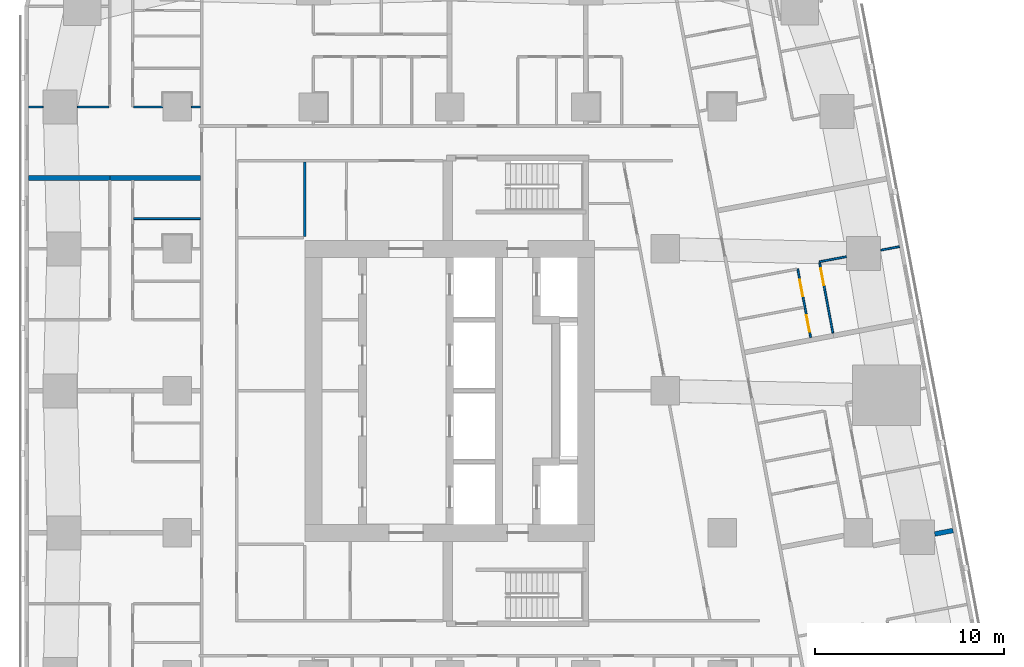
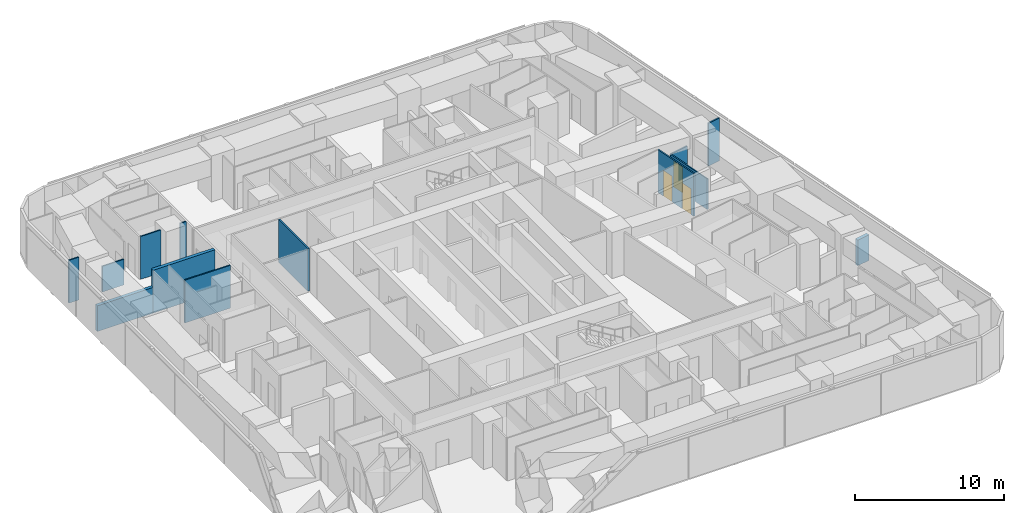
# One storey, part 8 of 15: 13 walls, 3 doors, 3 openings.
"""IFC4 building model written with IfcOpenShell, lengths in metres."""

from ifc_helpers import new_model, si_unit, direction, frame, frame_2d, origin, place, context, subcontext, project, spatial, rectangle, extrude, material, layer, layer_set, type_object, element, fill, save


model = new_model("IFC4")

# Units and contexts
model_context = context("Model", 3, precision=1e-05, world=origin(), true_north=direction((0.0, 1.0)))
body_context = subcontext(model_context, "Body", "Model", "MODEL_VIEW")
ifc_project = project(units=[si_unit("LENGTHUNIT", "METRE"), si_unit("AREAUNIT", "SQUARE_METRE"), si_unit("VOLUMEUNIT", "CUBIC_METRE"), si_unit("PLANEANGLEUNIT", "RADIAN"), si_unit("MASSUNIT", "GRAM", prefix="KILO")], contexts=[model_context])

# Site, building, storey
site_placement = place(None, origin())
site = spatial("IfcSite", under=ifc_project, at=site_placement, CompositionType="ELEMENT")
building_placement = place(site_placement, origin())
building = spatial("IfcBuilding", under=site, at=building_placement, Name="Sheger Commons Tower", CompositionType="ELEMENT")
storey_placement = place(building_placement, frame((0.0, 0.0, 180.800048828125)))
storey = spatial("IfcBuildingStorey", under=building, at=storey_placement, Name="L46", CompositionType="ELEMENT", Elevation=180.800048828125)

# Walls
ifc_material_1 = material(Name="Dense concrete block masonry, plastered both sides (separating wall between flats)", Category="masonry")
ifc_layer_1 = layer(ifc_material_1, 0.25)
ifc_layer_set_1 = layer_set([ifc_layer_1], Name="DEMISING WALL 250")
wall_type_1 = type_object("IfcWallType", Name="DEMISING WALL 250", PredefinedType="SOLIDWALL", material=ifc_layer_set_1)
wall_1_placement = place(storey_placement, frame((-0.64990234375, 33.75, 0.0), z_axis=(0.0, 0.0, 1.0), x_axis=(1.0, 0.0, 0.0)))
element("IfcWall", 1, at=wall_1_placement, inside=storey, type_object=wall_type_1, Name="Demising wall L46", PredefinedType="SOLIDWALL", context=body_context, shape_type="SweptSolid", body=[
    extrude(rectangle(XDim=4.2998046875, YDim=0.25, at=frame_2d((2.14990234375, 0.0))), origin(), (0.0, 0.0, 1.0), 2.099853515625),
])
wall_2_placement = place(storey_placement, frame((3.64990234375, 33.75, 0.0), z_axis=(0.0, 0.0, 1.0), x_axis=(1.0, 0.0, 0.0)))
element("IfcWall", 2, at=wall_2_placement, inside=storey, type_object=wall_type_1, Name="Demising wall L46", PredefinedType="SOLIDWALL", context=body_context, shape_type="SweptSolid", body=[
    extrude(rectangle(XDim=4.775146484375, YDim=0.25, at=frame_2d((2.3876953125, 0.0))), origin(), (0.0, 0.0, 1.0), 3.5),
])
wall_3_placement = place(storey_placement, frame((48.2060546875, 15.1201171875, 0.0), z_axis=(0.0, 0.0, 1.0), x_axis=(-0.982576361834, -0.185859337043, 0.0)))
element("IfcWall", 3, at=wall_3_placement, inside=storey, type_object=wall_type_1, Name="Demising wall L46", PredefinedType="SOLIDWALL", context=body_context, shape_type="SweptSolid", body=[
    extrude(rectangle(XDim=0.985107421875, YDim=0.25, at=frame_2d((0.49267578125, 0.0))), origin(), (0.0, 0.0, 1.0), 2.099853515625),
])
ifc_material_2 = material(Name="Gypsum board on steel studs", Category="steel")
ifc_layer_2 = layer(ifc_material_2, 0.10009765625)
ifc_layer_set_2 = layer_set([ifc_layer_2], Name="PARTITION 100")
wall_type_2 = type_object("IfcWallType", Name="PARTITION 100", PredefinedType="PARTITIONING", material=ifc_layer_set_2)
wall_4_placement = place(storey_placement, frame((4.89990234375, 31.60009765625, 0.0), z_axis=(0.0, 0.0, 1.0), x_axis=(1.0, 0.0, 0.0)))
element("IfcWall", 4, at=wall_4_placement, inside=storey, type_object=wall_type_2, Name="Partition L46", PredefinedType="PARTITIONING", context=body_context, shape_type="SweptSolid", body=[
    extrude(rectangle(XDim=3.525146484375, YDim=0.10009765625, at=frame_2d((1.7626953125, 0.0))), origin(), (0.0, 0.0, 1.0), 3.5),
])
wall_5_placement = place(storey_placement, frame((-0.64990234375, 37.5, 0.0), z_axis=(0.0, 0.0, 1.0), x_axis=(1.0, 0.0, 0.0)))
element("IfcWall", 5, at=wall_5_placement, inside=storey, type_object=wall_type_2, Name="Partition L46", PredefinedType="PARTITIONING", context=body_context, shape_type="SweptSolid", body=[
    extrude(rectangle(XDim=0.77392578125, YDim=0.10009765625, at=frame_2d((0.386962890625, 0.0))), origin(), (0.0, 0.0, 1.0), 3.5),
])
wall_6_placement = place(storey_placement, frame((1.926025390625, 37.5, 0.0), z_axis=(0.0, 0.0, 1.0), x_axis=(1.0, 0.0, 0.0)))
element("IfcWall", 6, at=wall_6_placement, inside=storey, type_object=wall_type_2, Name="Partition L46", PredefinedType="PARTITIONING", context=body_context, shape_type="SweptSolid", body=[
    extrude(rectangle(XDim=1.674072265625, YDim=0.10009765625, at=frame_2d((0.8369140625, 0.0))), origin(), (0.0, 0.0, 1.0), 2.099853515625),
])
wall_7_placement = place(storey_placement, frame((4.89990234375, 37.5, 0.0), z_axis=(0.0, 0.0, 1.0), x_axis=(1.0, 0.0, 0.0)))
element("IfcWall", 7, at=wall_7_placement, inside=storey, type_object=wall_type_2, Name="Partition L46", PredefinedType="PARTITIONING", context=body_context, shape_type="SweptSolid", body=[
    extrude(rectangle(XDim=1.549072265625, YDim=0.10009765625, at=frame_2d((0.7744140625, 0.0))), origin(), (0.0, 0.0, 1.0), 3.5),
])
wall_8_placement = place(storey_placement, frame((7.950927734375, 37.5, 0.0), z_axis=(0.0, 0.0, 1.0), x_axis=(1.0, 0.0, 0.0)))
element("IfcWall", 8, at=wall_8_placement, inside=storey, type_object=wall_type_2, Name="Partition L46", PredefinedType="PARTITIONING", context=body_context, shape_type="SweptSolid", body=[
    extrude(rectangle(XDim=0.47412109375, YDim=0.10009765625, at=frame_2d((0.237060546875, 0.0))), origin(), (0.0, 0.0, 1.0), 3.5),
])

# Wall, opening, door
wall_9_placement = place(storey_placement, frame((41.156005859375, 29.27294921875, 0.0), z_axis=(0.0, 0.0, 1.0), x_axis=(0.185474762472, -0.982649028131, 0.0)))
wall_9 = element("IfcWall", 9, at=wall_9_placement, inside=storey, type_object=wall_type_2, Name="Partition L46", PredefinedType="PARTITIONING", context=body_context, shape_type="SweptSolid", body=[
    extrude(rectangle(XDim=3.78955078125, YDim=0.10009765625, at=frame_2d((1.894775390625, 0.0))), origin(), (0.0, 0.0, 1.0), 2.5),
])
opening_1_placement = place(wall_9_placement, frame((0.31005859375, 0.0, 0.0)))
opening_1 = element("IfcOpeningElement", 10, at=opening_1_placement, cuts=wall_9, Name="Opening D2", PredefinedType="OPENING", context=body_context, shape_type="SweptSolid", body=[
    extrude(rectangle(XDim=0.89990234375, YDim=2.10009765625, at=frame_2d((0.449951171875, 1.050048828125))), frame((0.0, 0.06005859375, 0.0), z_axis=(0.0, -1.0, 0.0), x_axis=(1.0, 0.0, 0.0)), (0.0, 0.0, 1.0), 0.1201171875),
])
ifc_material_3 = material(Name="Timber door set", Category="wood")
door_type = type_object("IfcDoorType", Name="INTERNAL DOOR 900x2100", OperationType="NOTDEFINED", PredefinedType="DOOR", material=ifc_material_3)
door_1_placement = place(opening_1_placement, origin())
door_1 = element("IfcDoor", 11, at=door_1_placement, inside=storey, type_object=door_type, Name="Main bedroom door", OperationType="SINGLE_SWING_LEFT", OverallHeight=2.10009765625, OverallWidth=0.89990234375, PredefinedType="DOOR", context=body_context, shape_type="SweptSolid", body=[
    extrude(rectangle(XDim=0.89990234375, YDim=2.10009765625, at=frame_2d((0.449951171875, 1.050048828125))), frame((0.0, 0.02490234375, 0.0), z_axis=(0.0, -1.0, 0.0), x_axis=(1.0, 0.0, 0.0)), (0.0, 0.0, 1.0), 0.050048828125),
])
fill(opening_1, door_1)

# Wall, openings, doors
wall_10_placement = place(storey_placement, frame((39.9970703125, 28.94189453125, 0.0), z_axis=(0.0, 0.0, 1.0), x_axis=(0.185580474845, -0.982629069057, 0.0)))
wall_10 = element("IfcWall", 12, at=wall_10_placement, inside=storey, type_object=wall_type_2, Name="Partition L46", PredefinedType="PARTITIONING", context=body_context, shape_type="SweptSolid", body=[
    extrude(rectangle(XDim=3.684814453125, YDim=0.10009765625, at=frame_2d((1.84228515625, 0.0))), origin(), (0.0, 0.0, 1.0), 3.5),
])
opening_2_placement = place(wall_10_placement, frame((0.575927734375, 0.0, 0.0)))
opening_2 = element("IfcOpeningElement", 13, at=opening_2_placement, cuts=wall_10, Name="Opening D2", PredefinedType="OPENING", context=body_context, shape_type="SweptSolid", body=[
    extrude(rectangle(XDim=0.89990234375, YDim=2.10009765625, at=frame_2d((0.449951171875, 1.050048828125))), frame((0.0, 0.06005859375, 0.0), z_axis=(0.0, -1.0, 0.0), x_axis=(1.0, 0.0, 0.0)), (0.0, 0.0, 1.0), 0.1201171875),
])
opening_3_placement = place(wall_10_placement, frame((2.48291015625, 0.0, 0.0)))
opening_3 = element("IfcOpeningElement", 14, at=opening_3_placement, cuts=wall_10, Name="Opening D2", PredefinedType="OPENING", context=body_context, shape_type="SweptSolid", body=[
    extrude(rectangle(XDim=0.89990234375, YDim=2.10009765625, at=frame_2d((0.449951171875, 1.050048828125))), frame((0.0, 0.06005859375, 0.0), z_axis=(0.0, -1.0, 0.0), x_axis=(1.0, 0.0, 0.0)), (0.0, 0.0, 1.0), 0.1201171875),
])
door_2_placement = place(opening_2_placement, origin())
door_2 = element("IfcDoor", 15, at=door_2_placement, inside=storey, type_object=door_type, Name="Bathroom door", OperationType="SINGLE_SWING_RIGHT", OverallHeight=2.10009765625, OverallWidth=0.89990234375, PredefinedType="DOOR", context=body_context, shape_type="SweptSolid", body=[
    extrude(rectangle(XDim=0.89990234375, YDim=2.10009765625, at=frame_2d((0.449951171875, 1.050048828125))), frame((0.0, 0.02490234375, 0.0), z_axis=(0.0, -1.0, 0.0), x_axis=(1.0, 0.0, 0.0)), (0.0, 0.0, 1.0), 0.050048828125),
])
fill(opening_2, door_2)
door_3_placement = place(opening_3_placement, origin())
door_3 = element("IfcDoor", 16, at=door_3_placement, inside=storey, type_object=door_type, Name="Store door", OperationType="SINGLE_SWING_LEFT", OverallHeight=2.10009765625, OverallWidth=0.89990234375, PredefinedType="DOOR", context=body_context, shape_type="SweptSolid", body=[
    extrude(rectangle(XDim=0.89990234375, YDim=2.10009765625, at=frame_2d((0.449951171875, 1.050048828125))), frame((0.0, 0.02490234375, 0.0), z_axis=(0.0, -1.0, 0.0), x_axis=(1.0, 0.0, 0.0)), (0.0, 0.0, 1.0), 0.050048828125),
])
fill(opening_3, door_3)

# Walls
wall_11_placement = place(storey_placement, frame((45.3720703125, 30.12109375, 0.0), z_axis=(0.0, 0.0, 1.0), x_axis=(-0.982530437059, -0.186101961978, 0.0)))
element("IfcWall", 17, at=wall_11_placement, inside=storey, type_object=wall_type_2, Name="Partition L46", PredefinedType="PARTITIONING", context=body_context, shape_type="SweptSolid", body=[
    extrude(rectangle(XDim=0.999755859375, YDim=0.10009765625, at=frame_2d((0.5, 0.0))), origin(), (0.0, 0.0, 1.0), 3.5),
])
wall_12_placement = place(storey_placement, frame((42.570068359375, 29.591064453125, 0.0), z_axis=(0.0, 0.0, 1.0), x_axis=(-0.98259436979, -0.185764109712, 0.0)))
element("IfcWall", 18, at=wall_12_placement, inside=storey, type_object=wall_type_2, Name="Partition L46", PredefinedType="PARTITIONING", context=body_context, shape_type="SweptSolid", body=[
    extrude(rectangle(XDim=1.4482421875, YDim=0.10009765625, at=frame_2d((0.72412109375, 0.0))), origin(), (0.0, 0.0, 1.0), 2.5),
])
ifc_material_4 = material(Name="Gypsum board on steel studs, two layers each side, fire rated", Category="steel")
ifc_layer_3 = layer(ifc_material_4, 0.125)
ifc_layer_set_3 = layer_set([ifc_layer_3], Name="SERVICE WALL 125")
wall_type_3 = type_object("IfcWallType", Name="SERVICE WALL 125", PredefinedType="PARTITIONING", material=ifc_layer_set_3)
wall_13_placement = place(storey_placement, frame((13.949951171875, 30.6630859375, 0.0), z_axis=(0.0, 0.0, 1.0), x_axis=(0.0, 1.0, 0.0)))
element("IfcWall", 19, at=wall_13_placement, inside=storey, type_object=wall_type_3, Name="Service room wall L46", PredefinedType="PARTITIONING", context=body_context, shape_type="SweptSolid", body=[
    extrude(rectangle(XDim=3.923828125, YDim=0.125, at=frame_2d((1.9619140625, 0.0))), origin(), (0.0, 0.0, 1.0), 3.5),
])

save(model, "model.ifc")
